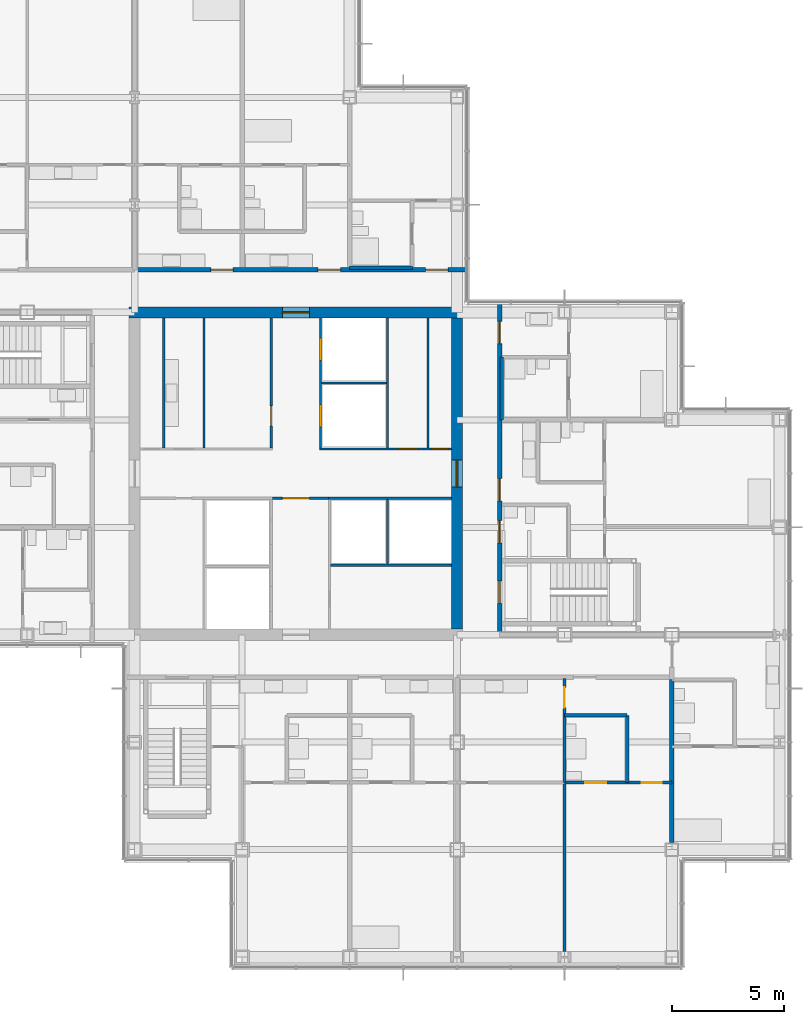
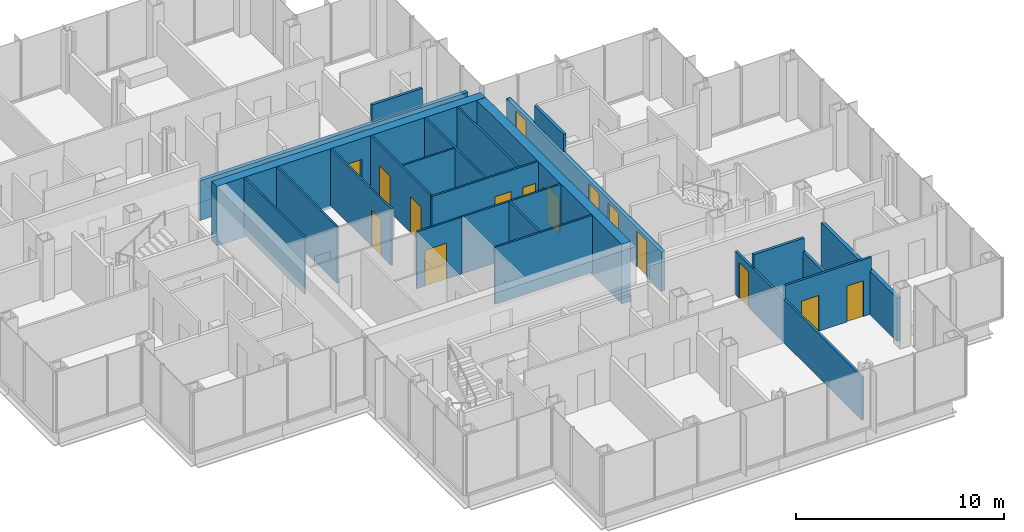
# One storey, part 15 of 20: 24 walls, 18 doors, 18 openings.
"""IFC4 building model written with IfcOpenShell, lengths in metres."""

import ifcopenshell
import ifcopenshell.guid

model = None  # the IFC model being written
_history = None  # IfcOwnerHistory: only IFC2X3 demands one
_inside = {}  # id of a spatial element -> (the spatial element, [elements in it])
_under = {}  # id of a project, library or spatial element -> (it, [spatial elements below it])
_declared = {}  # id of a project -> (the project, [libraries it declares])
_typed = {}  # id of a type object -> (the type object, [elements of that type])
_made_of = {}  # id of a material, layer set ... -> (it, [elements and type objects made of it])


def new_model(schema):
    """Start an empty IFC model of exactly this schema.

    Asked for "IFC4X3", IfcOpenShell would pick the latest addendum, in which some entities
    have other attributes; the version numbers below select the first issue.
    IFC2X3 requires an IfcOwnerHistory on every rooted entity: one is made here for all.
    """
    global model, _history
    if schema == "IFC4X3":
        model = ifcopenshell.file(schema_version=(4, 3, 0, 0))
    else:
        model = ifcopenshell.file(schema=schema)
    _inside.clear()
    _under.clear()
    _declared.clear()
    _typed.clear()
    _made_of.clear()
    _history = None
    if model.schema == "IFC2X3":
        org = make("IfcOrganization", Name="unknown")
        user = make(
            "IfcPersonAndOrganization",
            ThePerson=make("IfcPerson", FamilyName="unknown"),
            TheOrganization=org,
        )
        app = make(
            "IfcApplication",
            ApplicationDeveloper=org,
            Version="unknown",
            ApplicationFullName="unknown",
            ApplicationIdentifier="unknown",
        )
        _history = make(
            "IfcOwnerHistory",
            OwningUser=user,
            OwningApplication=app,
            ChangeAction="ADDED",
            CreationDate=0,
        )
    return model


def make(cls, **values):
    """One entity of the class cls with the attributes given. An attribute that is None is left unset."""
    return model.create_entity(
        cls, **{name: value for name, value in values.items() if value is not None}
    )


def rooted(cls, **values):
    """An entity with a GlobalId (a new one), such as an element, a storey or a relation."""
    return make(cls, GlobalId=ifcopenshell.guid.new(), OwnerHistory=_history, **values)


def si_unit(unit_type, name, prefix=None):
    """IfcSIUnit, for example si_unit("LENGTHUNIT", "METRE", prefix="MILLI")."""
    return make("IfcSIUnit", UnitType=unit_type, Prefix=prefix, Name=name)


def assignment(units):
    """IfcUnitAssignment: the units of a project."""
    return None if units is None else make("IfcUnitAssignment", Units=units)


def point(xyz):
    """IfcCartesianPoint."""
    return None if xyz is None else make("IfcCartesianPoint", Coordinates=xyz)


def direction(xyz):
    """IfcDirection."""
    return None if xyz is None else make("IfcDirection", DirectionRatios=xyz)


def frame(location, z_axis=None, x_axis=None):
    """IfcAxis2Placement3D, a coordinate frame: its origin and axes. An axis left out is left unset."""
    return make(
        "IfcAxis2Placement3D",
        Location=point(location),
        Axis=direction(z_axis),
        RefDirection=direction(x_axis),
    )


def frame_2d(location, x_axis=None):
    """IfcAxis2Placement2D, a coordinate frame in the plane: its origin and x axis."""
    return make(
        "IfcAxis2Placement2D", Location=point(location), RefDirection=direction(x_axis)
    )


def origin():
    """The frame at (0, 0, 0) with its axes left unset."""
    return frame((0.0, 0.0, 0.0))


def place(relative_to, where):
    """IfcLocalPlacement: puts the frame where relative to a parent placement (None: the world)."""
    return make(
        "IfcLocalPlacement", PlacementRelTo=relative_to, RelativePlacement=where
    )


def context(
    kind, dimensions, precision=None, world=None, true_north=None, identifier=None
):
    """IfcGeometricRepresentationContext, for example the 3D "Model" context."""
    return make(
        "IfcGeometricRepresentationContext",
        ContextIdentifier=identifier,
        ContextType=kind,
        CoordinateSpaceDimension=dimensions,
        Precision=precision,
        WorldCoordinateSystem=world,
        TrueNorth=true_north,
    )


def subcontext(parent, identifier, kind, view, scale=None):
    """IfcGeometricRepresentationSubContext, for example "Body" below "Model"."""
    return make(
        "IfcGeometricRepresentationSubContext",
        ContextIdentifier=identifier,
        ContextType=kind,
        ParentContext=parent,
        TargetScale=scale,
        TargetView=view,
    )


def project(units=None, contexts=None):
    """IfcProject with its units and contexts."""
    return rooted(
        "IfcProject",
        Name="project",
        RepresentationContexts=contexts,
        UnitsInContext=assignment(units),
    )


def spatial(cls, under=None, at=None, **own):
    """A site, building, storey or space (cls), placed at a placement, below another one or the project."""
    s = rooted(cls, ObjectPlacement=at, **own)
    if under is not None:
        _under.setdefault(under.id(), (under, []))[1].append(s)
    return s


def profile(cls, at=None, kind="AREA", **sizes):
    """A parametric profile (cls). Its sizes go by their IFC names, for example OverallWidth=200.0."""
    return make(cls, ProfileType=kind, Position=at, **sizes)


def rectangle(**sizes):
    """IfcRectangleProfileDef."""
    return profile("IfcRectangleProfileDef", **sizes)


def extrude(swept, where, along, depth):
    """IfcExtrudedAreaSolid: the profile swept, set in the frame where, extruded along a direction by depth."""
    return make(
        "IfcExtrudedAreaSolid",
        SweptArea=swept,
        Position=where,
        ExtrudedDirection=direction(along),
        Depth=depth,
    )


def shape(context_of_items, identifier, shape_type, items):
    """IfcShapeRepresentation: the items that make up one representation, for example the "Body"."""
    return make(
        "IfcShapeRepresentation",
        ContextOfItems=context_of_items,
        RepresentationIdentifier=identifier,
        RepresentationType=shape_type,
        Items=items,
    )


def material(Name=None, Category=None):
    """IfcMaterial."""
    return make("IfcMaterial", Name=Name, Category=Category)


def layer(
    of_material, thickness, ventilated=None, Name=None, Category=None, Priority=None
):
    """IfcMaterialLayer: one layer of a wall or slab, of a material (None: an air gap)."""
    return make(
        "IfcMaterialLayer",
        Material=of_material,
        LayerThickness=thickness,
        IsVentilated=ventilated,
        Name=Name,
        Category=Category,
        Priority=Priority,
    )


def layer_set(layers, Name=None):
    """IfcMaterialLayerSet."""
    return make("IfcMaterialLayerSet", MaterialLayers=layers, LayerSetName=Name)


def made_of(thing, what):
    """Note that an element or type object is made of a material, layer set ...; save() writes the relation."""
    if what is not None:
        _made_of.setdefault(what.id(), (what, []))[1].append(thing)
    return thing


def type_object(cls, material=None, **own):
    """A type object (cls), such as IfcWallType, which elements share."""
    return made_of(rooted(cls, **own), material)


def element(
    cls,
    number,
    at=None,
    inside=None,
    cuts=None,
    type_object=None,
    material=None,
    context=None,
    identifier="Body",
    shape_type=None,
    held_by="IfcProductDefinitionShape",
    body=None,
    shapes=None,
    **own,
):
    """One element of the class cls, such as IfcWall. Its Tag is "e" and its number.

    at: its placement. inside: the storey or other place that contains it. cuts: it is an
    opening in that element (IfcRelVoidsElement). A single representation is given by context,
    identifier, shape_type and body (its items); several are given by shapes. held_by: the class
    of the entity that holds the representations. save() writes the other relations.
    """
    e = rooted(cls, Tag="e%d" % number, ObjectPlacement=at, **own)
    if body is not None:
        shapes = [shape(context, identifier, shape_type, body)]
    if shapes is not None:
        e.Representation = make(held_by, Representations=shapes)
    if inside is not None:
        _inside.setdefault(inside.id(), (inside, []))[1].append(e)
    if cuts is not None:
        rooted(
            "IfcRelVoidsElement", RelatingBuildingElement=cuts, RelatedOpeningElement=e
        )
    if type_object is not None:
        _typed.setdefault(type_object.id(), (type_object, []))[1].append(e)
    return made_of(e, material)


def fill(opening, filler):
    """IfcRelFillsElement: the door or window that sits in an opening."""
    return rooted(
        "IfcRelFillsElement",
        RelatingOpeningElement=opening,
        RelatedBuildingElement=filler,
    )


def aggregate(whole, parts):
    """IfcRelAggregates: a whole, such as a stair, and the parts it consists of."""
    return rooted("IfcRelAggregates", RelatingObject=whole, RelatedObjects=parts)


def save(model, path):
    """Write the relations noted so far, then the file.

    IfcRelAggregates (storeys below a building ...), IfcRelContainedInSpatialStructure (elements
    in a storey), IfcRelDefinesByType, IfcRelAssociatesMaterial and IfcRelDeclares: one each for
    every whole, place, type object, material and project.
    """
    for whole, parts in _under.values():
        aggregate(whole, parts)
    for where, things in _inside.values():
        rooted(
            "IfcRelContainedInSpatialStructure",
            RelatedElements=things,
            RelatingStructure=where,
        )
    for kind, things in _typed.values():
        rooted("IfcRelDefinesByType", RelatedObjects=things, RelatingType=kind)
    for what, things in _made_of.values():
        rooted("IfcRelAssociatesMaterial", RelatedObjects=things, RelatingMaterial=what)
    for by, libraries in _declared.values():
        rooted("IfcRelDeclares", RelatingContext=by, RelatedDefinitions=libraries)
    model.write(path)


model = new_model("IFC4")

# Units and contexts
model_context = context("Model", 3, precision=1e-05, world=origin(), true_north=direction((0.0, 1.0)))
body_context = subcontext(model_context, "Body", "Model", "MODEL_VIEW")
ifc_project = project(units=[si_unit("LENGTHUNIT", "METRE"), si_unit("AREAUNIT", "SQUARE_METRE"), si_unit("VOLUMEUNIT", "CUBIC_METRE"), si_unit("PLANEANGLEUNIT", "RADIAN"), si_unit("MASSUNIT", "GRAM", prefix="KILO")], contexts=[model_context])

# Site, building, storey
site_placement = place(None, origin())
site = spatial("IfcSite", under=ifc_project, at=site_placement, CompositionType="ELEMENT")
building_placement = place(site_placement, origin())
building = spatial("IfcBuilding", under=site, at=building_placement, Name="Kvirike Care Tower", CompositionType="ELEMENT")
storey_placement = place(building_placement, frame((0.0, 0.0, 94.5)))
storey = spatial("IfcBuildingStorey", under=building, at=storey_placement, Name="L25", CompositionType="ELEMENT", Elevation=94.5)

# Walls
ifc_material_1 = material(Name="Moisture-resistant board partition", Category="gypsum")
ifc_layer_1 = layer(ifc_material_1, 0.14990234375)
ifc_layer_set_1 = layer_set([ifc_layer_1], Name="BATHROOM WALL 150")
wall_type_1 = type_object("IfcWallType", Name="BATHROOM WALL 150", PredefinedType="PARTITIONING", material=ifc_layer_set_1)
wall_1_placement = place(storey_placement, frame((26.800048828125, 45.199951171875, 0.0), z_axis=(0.0, 0.0, 1.0), x_axis=(-1.0, 0.0, 0.0)))
element("IfcWall", 1, at=wall_1_placement, inside=storey, type_object=wall_type_1, Name="Bathroom Wall 150 L25", PredefinedType="PARTITIONING", context=body_context, shape_type="SweptSolid", body=[
    extrude(rectangle(XDim=2.800048828125, YDim=0.14990234375, at=frame_2d((1.39990234375, 0.0))), origin(), (0.0, 0.0, 1.0), 3.330078125),
])
wall_2_placement = place(storey_placement, frame((36.39990234375, 22.199951171875, 0.0), z_axis=(0.0, 0.0, 1.0), x_axis=(0.0, 1.0, 0.0)))
element("IfcWall", 2, at=wall_2_placement, inside=storey, type_object=wall_type_1, Name="Bathroom Wall 150 L25", PredefinedType="PARTITIONING", context=body_context, shape_type="SweptSolid", body=[
    extrude(rectangle(XDim=3.0, YDim=0.14990234375, at=frame_2d((1.5, 0.0))), origin(), (0.0, 0.0, 1.0), 2.550048828125),
])
wall_3_placement = place(storey_placement, frame((33.60009765625, 25.199951171875, 0.0), z_axis=(0.0, 0.0, 1.0), x_axis=(1.0, 0.0, 0.0)))
element("IfcWall", 3, at=wall_3_placement, inside=storey, type_object=wall_type_1, Name="Bathroom Wall 150 L25", PredefinedType="PARTITIONING", context=body_context, shape_type="SweptSolid", body=[
    extrude(rectangle(XDim=2.7998046875, YDim=0.14990234375, at=frame_2d((1.39990234375, 0.0))), origin(), (0.0, 0.0, 1.0), 3.330078125),
])
wall_4_placement = place(storey_placement, frame((30.800048828125, 38.39990234375, 0.0), z_axis=(0.0, 0.0, 1.0), x_axis=(0.0, 1.0, 0.0)))
element("IfcWall", 4, at=wall_4_placement, inside=storey, type_object=wall_type_1, Name="Bathroom Wall 150 L25", PredefinedType="PARTITIONING", context=body_context, shape_type="SweptSolid", body=[
    extrude(rectangle(XDim=2.800048828125, YDim=0.14990234375, at=frame_2d((1.39990234375, 0.0))), origin(), (0.0, 0.0, 1.0), 3.330078125),
])

# Wall, opening, door
ifc_material_2 = material(Name="Concrete C50/60", Category="concrete")
ifc_layer_2 = layer(ifc_material_2, 0.5)
ifc_layer_set_2 = layer_set([ifc_layer_2], Name="CORE WALL 500 C50-60")
wall_type_2 = type_object("IfcWallType", Name="CORE WALL 500 C50-60", PredefinedType="SHEAR", material=ifc_layer_set_2)
wall_5_placement = place(storey_placement, frame((29.050048828125, 43.199951171875, -0.169921875), z_axis=(0.0, 0.0, 1.0), x_axis=(-1.0, 0.0, 0.0)))
wall_5 = element("IfcWall", 5, at=wall_5_placement, inside=storey, type_object=wall_type_2, Name="Core wall N L25", PredefinedType="SHEAR", context=body_context, shape_type="SweptSolid", body=[
    extrude(rectangle(XDim=14.900146484375, YDim=0.5, at=frame_2d((7.4501953125, 0.0))), origin(), (0.0, 0.0, 1.0), 3.5),
])
opening_1_placement = place(wall_5_placement, frame((6.85009765625, 0.0, 0.169921875)))
opening_1 = element("IfcOpeningElement", 6, at=opening_1_placement, cuts=wall_5, Name="Opening 25-067", PredefinedType="OPENING", context=body_context, shape_type="SweptSolid", body=[
    extrude(rectangle(XDim=1.199951171875, YDim=2.10009765625, at=frame_2d((0.60009765625, 1.050048828125))), frame((0.0, 0.260498046875, 0.0), z_axis=(0.0, -1.0, 0.0), x_axis=(1.0, 0.0, 0.0)), (0.0, 0.0, 1.0), 0.52099609375),
])
ifc_material_3 = material(Name="Timber door set", Category="wood")
door_type_1 = type_object("IfcDoorType", Name="CORE DOOR 1200", OperationType="SINGLE_SWING_LEFT", PredefinedType="DOOR", material=ifc_material_3)
door_1_placement = place(opening_1_placement, origin())
door_1 = element("IfcDoor", 7, at=door_1_placement, inside=storey, type_object=door_type_1, Name="Core door N L25", OperationType="SINGLE_SWING_LEFT", OverallHeight=2.10009765625, OverallWidth=1.199951171875, PredefinedType="DOOR", context=body_context, shape_type="SweptSolid", body=[
    extrude(rectangle(XDim=1.199951171875, YDim=2.10009765625, at=frame_2d((0.60009765625, 1.050048828125))), frame((0.0, 0.02685546875, 0.0), z_axis=(0.0, -1.0, 0.0), x_axis=(1.0, 0.0, 0.0)), (0.0, 0.0, 1.0), 0.053955078125),
])
fill(opening_1, door_1)

wall_6_placement = place(storey_placement, frame((28.800048828125, 29.050048828125, -0.169921875), z_axis=(0.0, 0.0, 1.0), x_axis=(0.0, 1.0, 0.0)))
wall_6 = element("IfcWall", 8, at=wall_6_placement, inside=storey, type_object=wall_type_2, Name="Core wall E L25", PredefinedType="SHEAR", context=body_context, shape_type="SweptSolid", body=[
    extrude(rectangle(XDim=13.89990234375, YDim=0.5, at=frame_2d((6.949951171875, 0.0))), origin(), (0.0, 0.0, 1.0), 3.5),
])
opening_2_placement = place(wall_6_placement, frame((6.35009765625, 0.0, 0.169921875)))
opening_2 = element("IfcOpeningElement", 9, at=opening_2_placement, cuts=wall_6, Name="Opening 25-066", PredefinedType="OPENING", context=body_context, shape_type="SweptSolid", body=[
    extrude(rectangle(XDim=1.199951171875, YDim=2.10009765625, at=frame_2d((0.60009765625, 1.050048828125))), frame((0.0, 0.260498046875, 0.0), z_axis=(0.0, -1.0, 0.0), x_axis=(1.0, 0.0, 0.0)), (0.0, 0.0, 1.0), 0.52099609375),
])
door_2_placement = place(opening_2_placement, origin())
door_2 = element("IfcDoor", 10, at=door_2_placement, inside=storey, type_object=door_type_1, Name="Core door E L25", OperationType="SINGLE_SWING_LEFT", OverallHeight=2.10009765625, OverallWidth=1.199951171875, PredefinedType="DOOR", context=body_context, shape_type="SweptSolid", body=[
    extrude(rectangle(XDim=1.199951171875, YDim=2.10009765625, at=frame_2d((0.60009765625, 1.050048828125))), frame((0.0, 0.02685546875, 0.0), z_axis=(0.0, -1.0, 0.0), x_axis=(1.0, 0.0, 0.0)), (0.0, 0.0, 1.0), 0.053955078125),
])
fill(opening_2, door_2)

# Wall, openings, doors
ifc_material_4 = material(Name="Plasterboard corridor wall", Category="gypsum")
ifc_layer_3 = layer(ifc_material_4, 0.199951171875)
ifc_layer_set_3 = layer_set([ifc_layer_3], Name="CORRIDOR WALL 200")
wall_type_3 = type_object("IfcWallType", Name="CORRIDOR WALL 200", PredefinedType="PARTITIONING", material=ifc_layer_set_3)
wall_7_placement = place(storey_placement, frame((29.239990234375, 45.10009765625, 0.0), z_axis=(0.0, 0.0, 1.0), x_axis=(-1.0, 0.0, 0.0)))
wall_7 = element("IfcWall", 11, at=wall_7_placement, inside=storey, type_object=wall_type_3, Name="Corridor Wall 200 L25", PredefinedType="PARTITIONING", context=body_context, shape_type="SweptSolid", body=[
    extrude(rectangle(XDim=14.840087890625, YDim=0.199951171875, at=frame_2d((7.419921875, 0.0))), origin(), (0.0, 0.0, 1.0), 2.320068359375),
])
opening_3_placement = place(wall_7_placement, frame((0.840087890625, 0.0, 0.0)))
opening_3 = element("IfcOpeningElement", 12, at=opening_3_placement, cuts=wall_7, Name="Opening 25-032", PredefinedType="OPENING", context=body_context, shape_type="SweptSolid", body=[
    extrude(rectangle(XDim=1.0, YDim=2.10009765625, at=frame_2d((0.5, 1.050048828125))), frame((0.0, 0.110595703125, 0.0), z_axis=(0.0, -1.0, 0.0), x_axis=(1.0, 0.0, 0.0)), (0.0, 0.0, 1.0), 0.220947265625),
])
opening_4_placement = place(wall_7_placement, frame((5.639892578125, 0.0, 0.0)))
opening_4 = element("IfcOpeningElement", 13, at=opening_4_placement, cuts=wall_7, Name="Opening 25-033", PredefinedType="OPENING", context=body_context, shape_type="SweptSolid", body=[
    extrude(rectangle(XDim=1.0, YDim=2.10009765625, at=frame_2d((0.5, 1.050048828125))), frame((0.0, 0.110595703125, 0.0), z_axis=(0.0, -1.0, 0.0), x_axis=(1.0, 0.0, 0.0)), (0.0, 0.0, 1.0), 0.220947265625),
])
opening_5_placement = place(wall_7_placement, frame((10.43994140625, 0.0, 0.0)))
opening_5 = element("IfcOpeningElement", 14, at=opening_5_placement, cuts=wall_7, Name="Opening 25-034", PredefinedType="OPENING", context=body_context, shape_type="SweptSolid", body=[
    extrude(rectangle(XDim=1.0, YDim=2.10009765625, at=frame_2d((0.5, 1.050048828125))), frame((0.0, 0.110595703125, 0.0), z_axis=(0.0, -1.0, 0.0), x_axis=(1.0, 0.0, 0.0)), (0.0, 0.0, 1.0), 0.220947265625),
])
ifc_material_5 = material(Name="Timber door set", Category="wood")
door_type_2 = type_object("IfcDoorType", Name="FLAT ENTRANCE DOOR 1000", OperationType="SINGLE_SWING_LEFT", PredefinedType="DOOR", material=ifc_material_5)
door_3_placement = place(opening_3_placement, frame((1.0, 0.0, 0.0), z_axis=(0.0, 0.0, 1.0), x_axis=(-1.0, 0.0, 0.0)))
door_3 = element("IfcDoor", 15, at=door_3_placement, inside=storey, type_object=door_type_2, Name="Care base entrance", OperationType="SINGLE_SWING_LEFT", OverallHeight=2.10009765625, OverallWidth=1.0, PredefinedType="DOOR", context=body_context, shape_type="SweptSolid", body=[
    extrude(rectangle(XDim=1.0, YDim=2.10009765625, at=frame_2d((0.5, 1.050048828125))), frame((0.0, 0.02685546875, 0.0), z_axis=(0.0, -1.0, 0.0), x_axis=(1.0, 0.0, 0.0)), (0.0, 0.0, 1.0), 0.053955078125),
])
fill(opening_3, door_3)
door_4_placement = place(opening_4_placement, frame((1.0, 0.0, 0.0), z_axis=(0.0, 0.0, 1.0), x_axis=(-1.0, 0.0, 0.0)))
door_4 = element("IfcDoor", 16, at=door_4_placement, inside=storey, type_object=door_type_2, Name="Assisted living suite entrance", OperationType="SINGLE_SWING_LEFT", OverallHeight=2.10009765625, OverallWidth=1.0, PredefinedType="DOOR", context=body_context, shape_type="SweptSolid", body=[
    extrude(rectangle(XDim=1.0, YDim=2.10009765625, at=frame_2d((0.5, 1.050048828125))), frame((0.0, 0.02685546875, 0.0), z_axis=(0.0, -1.0, 0.0), x_axis=(1.0, 0.0, 0.0)), (0.0, 0.0, 1.0), 0.053955078125),
])
fill(opening_4, door_4)
door_5_placement = place(opening_5_placement, frame((1.0, 0.0, 0.0), z_axis=(0.0, 0.0, 1.0), x_axis=(-1.0, 0.0, 0.0)))
door_5 = element("IfcDoor", 17, at=door_5_placement, inside=storey, type_object=door_type_2, Name="Assisted living suite entrance", OperationType="SINGLE_SWING_LEFT", OverallHeight=2.10009765625, OverallWidth=1.0, PredefinedType="DOOR", context=body_context, shape_type="SweptSolid", body=[
    extrude(rectangle(XDim=1.0, YDim=2.10009765625, at=frame_2d((0.5, 1.050048828125))), frame((0.0, 0.02685546875, 0.0), z_axis=(0.0, -1.0, 0.0), x_axis=(1.0, 0.0, 0.0)), (0.0, 0.0, 1.0), 0.053955078125),
])
fill(opening_5, door_5)

wall_8_placement = place(storey_placement, frame((30.699951171875, 28.800048828125, 0.0), z_axis=(0.0, 0.0, 1.0), x_axis=(0.0, 1.0, 0.0)))
wall_8 = element("IfcWall", 18, at=wall_8_placement, inside=storey, type_object=wall_type_3, Name="Corridor Wall 200 L25", PredefinedType="PARTITIONING", context=body_context, shape_type="SweptSolid", body=[
    extrude(rectangle(XDim=14.83984375, YDim=0.199951171875, at=frame_2d((7.419921875, 0.0))), origin(), (0.0, 0.0, 1.0), 2.320068359375),
])
opening_6_placement = place(wall_8_placement, frame((1.39990234375, 0.0, 0.0)))
opening_6 = element("IfcOpeningElement", 19, at=opening_6_placement, cuts=wall_8, Name="Opening 25-048", PredefinedType="OPENING", context=body_context, shape_type="SweptSolid", body=[
    extrude(rectangle(XDim=1.0, YDim=2.10009765625, at=frame_2d((0.5, 1.050048828125))), frame((0.0, 0.110595703125, 0.0), z_axis=(0.0, -1.0, 0.0), x_axis=(1.0, 0.0, 0.0)), (0.0, 0.0, 1.0), 0.220947265625),
])
opening_7_placement = place(wall_8_placement, frame((4.10009765625, 0.0, 0.0)))
opening_7 = element("IfcOpeningElement", 20, at=opening_7_placement, cuts=wall_8, Name="Opening 25-049", PredefinedType="OPENING", context=body_context, shape_type="SweptSolid", body=[
    extrude(rectangle(XDim=1.0, YDim=2.10009765625, at=frame_2d((0.5, 1.050048828125))), frame((0.0, 0.110595703125, 0.0), z_axis=(0.0, -1.0, 0.0), x_axis=(1.0, 0.0, 0.0)), (0.0, 0.0, 1.0), 0.220947265625),
])
opening_8_placement = place(wall_8_placement, frame((5.97509765625, 0.0, 0.0)))
opening_8 = element("IfcOpeningElement", 21, at=opening_8_placement, cuts=wall_8, Name="Opening 25-050", PredefinedType="OPENING", context=body_context, shape_type="SweptSolid", body=[
    extrude(rectangle(XDim=1.0, YDim=2.10009765625, at=frame_2d((0.5, 1.050048828125))), frame((0.0, 0.110595703125, 0.0), z_axis=(0.0, -1.0, 0.0), x_axis=(1.0, 0.0, 0.0)), (0.0, 0.0, 1.0), 0.220947265625),
])
opening_9_placement = place(wall_8_placement, frame((13.0, 0.0, 0.0)))
opening_9 = element("IfcOpeningElement", 22, at=opening_9_placement, cuts=wall_8, Name="Opening 25-051", PredefinedType="OPENING", context=body_context, shape_type="SweptSolid", body=[
    extrude(rectangle(XDim=1.0, YDim=2.10009765625, at=frame_2d((0.5, 1.050048828125))), frame((0.0, 0.110595703125, 0.0), z_axis=(0.0, -1.0, 0.0), x_axis=(1.0, 0.0, 0.0)), (0.0, 0.0, 1.0), 0.220947265625),
])
door_6_placement = place(opening_8_placement, frame((1.0, 0.0, 0.0), z_axis=(0.0, 0.0, 1.0), x_axis=(-1.0, 0.0, 0.0)))
door_6 = element("IfcDoor", 23, at=door_6_placement, inside=storey, type_object=door_type_2, Name="Assisted living suite entrance", OperationType="SINGLE_SWING_LEFT", OverallHeight=2.10009765625, OverallWidth=1.0, PredefinedType="DOOR", context=body_context, shape_type="SweptSolid", body=[
    extrude(rectangle(XDim=1.0, YDim=2.10009765625, at=frame_2d((0.5, 1.050048828125))), frame((0.0, 0.02685546875, 0.0), z_axis=(0.0, -1.0, 0.0), x_axis=(1.0, 0.0, 0.0)), (0.0, 0.0, 1.0), 0.053955078125),
])
fill(opening_8, door_6)
door_7_placement = place(opening_9_placement, frame((1.0, 0.0, 0.0), z_axis=(0.0, 0.0, 1.0), x_axis=(-1.0, 0.0, 0.0)))
door_7 = element("IfcDoor", 24, at=door_7_placement, inside=storey, type_object=door_type_2, Name="Assisted living suite entrance", OperationType="SINGLE_SWING_RIGHT", OverallHeight=2.10009765625, OverallWidth=1.0, PredefinedType="DOOR", context=body_context, shape_type="SweptSolid", body=[
    extrude(rectangle(XDim=1.0, YDim=2.10009765625, at=frame_2d((0.5, 1.050048828125))), frame((0.0, 0.02685546875, 0.0), z_axis=(0.0, -1.0, 0.0), x_axis=(1.0, 0.0, 0.0)), (0.0, 0.0, 1.0), 0.053955078125),
])
fill(opening_9, door_7)
ifc_material_6 = material(Name="Timber door set", Category="wood")
door_type_3 = type_object("IfcDoorType", Name="STAIR DOOR 1000", OperationType="SINGLE_SWING_LEFT", PredefinedType="DOOR", material=ifc_material_6)
door_8_placement = place(opening_6_placement, frame((1.0, 0.0, 0.0), z_axis=(0.0, 0.0, 1.0), x_axis=(-1.0, 0.0, 0.0)))
door_8 = element("IfcDoor", 25, at=door_8_placement, inside=storey, type_object=door_type_3, Name="Stair 2 door", OperationType="SINGLE_SWING_RIGHT", OverallHeight=2.10009765625, OverallWidth=1.0, PredefinedType="DOOR", context=body_context, shape_type="SweptSolid", body=[
    extrude(rectangle(XDim=1.0, YDim=2.10009765625, at=frame_2d((0.5, 1.050048828125))), frame((0.0, 0.031982421875, 0.0), z_axis=(0.0, -1.0, 0.0), x_axis=(1.0, 0.0, 0.0)), (0.0, 0.0, 1.0), 0.06396484375),
])
fill(opening_6, door_8)
ifc_material_7 = material(Name="Timber door set", Category="wood")
door_type_4 = type_object("IfcDoorType", Name="WC DOOR 1000", OperationType="SINGLE_SWING_LEFT", PredefinedType="DOOR", material=ifc_material_7)
door_9_placement = place(opening_7_placement, frame((1.0, 0.0, 0.0), z_axis=(0.0, 0.0, 1.0), x_axis=(-1.0, 0.0, 0.0)))
door_9 = element("IfcDoor", 26, at=door_9_placement, inside=storey, type_object=door_type_4, Name="Accessible WC door", OperationType="SINGLE_SWING_LEFT", OverallHeight=2.10009765625, OverallWidth=1.0, PredefinedType="DOOR", context=body_context, shape_type="SweptSolid", body=[
    extrude(rectangle(XDim=1.0, YDim=2.10009765625, at=frame_2d((0.5, 1.050048828125))), frame((0.0, 0.02685546875, 0.0), z_axis=(0.0, -1.0, 0.0), x_axis=(1.0, 0.0, 0.0)), (0.0, 0.0, 1.0), 0.053955078125),
])
fill(opening_7, door_9)

# Wall, opening, door
ifc_material_8 = material(Name="Plasterboard partition", Category="gypsum")
ifc_layer_4 = layer(ifc_material_8, 0.1201171875)
ifc_layer_set_4 = layer_set([ifc_layer_4], Name="PARTITION 120")
wall_type_4 = type_object("IfcWallType", Name="PARTITION 120", PredefinedType="PARTITIONING", material=ifc_layer_set_4)
wall_9_placement = place(storey_placement, frame((33.60009765625, 22.199951171875, 0.0), z_axis=(0.0, 0.0, 1.0), x_axis=(0.0, 1.0, 0.0)))
wall_9 = element("IfcWall", 27, at=wall_9_placement, inside=storey, type_object=wall_type_4, Name="Partition 120 L25", PredefinedType="PARTITIONING", context=body_context, shape_type="SweptSolid", body=[
    extrude(rectangle(XDim=4.650146484375, YDim=0.1201171875, at=frame_2d((2.3251953125, 0.0))), origin(), (0.0, 0.0, 1.0), 2.550048828125),
])
opening_10_placement = place(wall_9_placement, frame((3.35009765625, 0.0, 0.0)))
opening_10 = element("IfcOpeningElement", 28, at=opening_10_placement, cuts=wall_9, Name="Opening 25-035", PredefinedType="OPENING", context=body_context, shape_type="SweptSolid", body=[
    extrude(rectangle(XDim=0.89990234375, YDim=2.10009765625, at=frame_2d((0.449951171875, 1.050048828125))), frame((0.0, 0.070556640625, 0.0), z_axis=(0.0, -1.0, 0.0), x_axis=(1.0, 0.0, 0.0)), (0.0, 0.0, 1.0), 0.14111328125),
])
ifc_material_9 = material(Name="Timber door set", Category="wood")
door_type_5 = type_object("IfcDoorType", Name="INTERNAL DOOR 900", OperationType="SINGLE_SWING_LEFT", PredefinedType="DOOR", material=ifc_material_9)
door_10_placement = place(opening_10_placement, origin())
door_10 = element("IfcDoor", 29, at=door_10_placement, inside=storey, type_object=door_type_5, Name="Hall door", OperationType="SINGLE_SWING_LEFT", OverallHeight=2.10009765625, OverallWidth=0.89990234375, PredefinedType="DOOR", context=body_context, shape_type="SweptSolid", body=[
    extrude(rectangle(XDim=0.89990234375, YDim=2.10009765625, at=frame_2d((0.449951171875, 1.050048828125))), frame((0.0, 0.02197265625, 0.0), z_axis=(0.0, -1.0, 0.0), x_axis=(1.0, 0.0, 0.0)), (0.0, 0.0, 1.0), 0.0439453125),
])
fill(opening_10, door_10)

# Wall, openings, doors
wall_10_placement = place(storey_placement, frame((33.60009765625, 22.199951171875, 0.0), z_axis=(0.0, 0.0, 1.0), x_axis=(1.0, 0.0, 0.0)))
wall_10 = element("IfcWall", 30, at=wall_10_placement, inside=storey, type_object=wall_type_4, Name="Partition 120 L25", PredefinedType="PARTITIONING", context=body_context, shape_type="SweptSolid", body=[
    extrude(rectangle(XDim=4.7998046875, YDim=0.1201171875, at=frame_2d((2.39990234375, 0.0))), origin(), (0.0, 0.0, 1.0), 3.330078125),
])
opening_11_placement = place(wall_10_placement, frame((3.449951171875, 0.0, 0.0)))
opening_11 = element("IfcOpeningElement", 31, at=opening_11_placement, cuts=wall_10, Name="Opening 25-037", PredefinedType="OPENING", context=body_context, shape_type="SweptSolid", body=[
    extrude(rectangle(XDim=0.89990234375, YDim=2.10009765625, at=frame_2d((0.449951171875, 1.050048828125))), frame((0.0, 0.070556640625, 0.0), z_axis=(0.0, -1.0, 0.0), x_axis=(1.0, 0.0, 0.0)), (0.0, 0.0, 1.0), 0.14111328125),
])
opening_12_placement = place(wall_10_placement, frame((0.925048828125, 0.0, 0.0)))
opening_12 = element("IfcOpeningElement", 32, at=opening_12_placement, cuts=wall_10, Name="Opening 25-038", PredefinedType="OPENING", context=body_context, shape_type="SweptSolid", body=[
    extrude(rectangle(XDim=0.949951171875, YDim=2.10009765625, at=frame_2d((0.47509765625, 1.050048828125))), frame((0.0, 0.070556640625, 0.0), z_axis=(0.0, -1.0, 0.0), x_axis=(1.0, 0.0, 0.0)), (0.0, 0.0, 1.0), 0.14111328125),
])
ifc_material_10 = material(Name="Timber door set", Category="wood")
door_type_6 = type_object("IfcDoorType", Name="EN-SUITE SLIDING DOOR 950", OperationType="SLIDING_TO_LEFT", PredefinedType="DOOR", material=ifc_material_10)
door_11_placement = place(opening_12_placement, origin())
door_11 = element("IfcDoor", 33, at=door_11_placement, inside=storey, type_object=door_type_6, Name="En-suite door", OperationType="SLIDING_TO_RIGHT", OverallHeight=2.10009765625, OverallWidth=0.949951171875, PredefinedType="DOOR", context=body_context, shape_type="SweptSolid", body=[
    extrude(rectangle(XDim=0.949951171875, YDim=2.10009765625, at=frame_2d((0.47509765625, 1.050048828125))), frame((0.0, 0.02197265625, 0.0), z_axis=(0.0, -1.0, 0.0), x_axis=(1.0, 0.0, 0.0)), (0.0, 0.0, 1.0), 0.0439453125),
])
fill(opening_12, door_11)
door_12_placement = place(opening_11_placement, origin())
door_12 = element("IfcDoor", 34, at=door_12_placement, inside=storey, type_object=door_type_5, Name="Accessible assisted living suite door", OperationType="SINGLE_SWING_LEFT", OverallHeight=2.10009765625, OverallWidth=0.89990234375, PredefinedType="DOOR", context=body_context, shape_type="SweptSolid", body=[
    extrude(rectangle(XDim=0.89990234375, YDim=2.10009765625, at=frame_2d((0.449951171875, 1.050048828125))), frame((0.0, 0.02197265625, 0.0), z_axis=(0.0, -1.0, 0.0), x_axis=(1.0, 0.0, 0.0)), (0.0, 0.0, 1.0), 0.0439453125),
])
fill(opening_11, door_12)

# Walls
wall_11_placement = place(storey_placement, frame((33.60009765625, 14.64697265625, 0.0), z_axis=(0.0, 0.0, 1.0), x_axis=(0.0, 1.0, 0.0)))
element("IfcWall", 35, at=wall_11_placement, inside=storey, type_object=wall_type_4, Name="Partition 120 L25", PredefinedType="PARTITIONING", context=body_context, shape_type="SweptSolid", body=[
    extrude(rectangle(XDim=7.552978515625, YDim=0.1201171875, at=frame_2d((3.7763671875, 0.0))), origin(), (0.0, 0.0, 1.0), 2.550048828125),
])
ifc_material_11 = material(Name="Plasterboard party wall", Category="gypsum")
ifc_layer_5 = layer(ifc_material_11, 0.199951171875)
ifc_layer_set_5 = layer_set([ifc_layer_5], Name="PARTY WALL 200")
wall_type_5 = type_object("IfcWallType", Name="PARTY WALL 200", PredefinedType="PARTITIONING", material=ifc_layer_set_5)
wall_12_placement = place(storey_placement, frame((38.39990234375, 19.52001953125, 0.0), z_axis=(0.0, 0.0, 1.0), x_axis=(0.0, 1.0, 0.0)))
element("IfcWall", 36, at=wall_12_placement, inside=storey, type_object=wall_type_5, Name="Party Wall 200 L25", PredefinedType="PARTITIONING", context=body_context, shape_type="SweptSolid", body=[
    extrude(rectangle(XDim=7.280029296875, YDim=0.199951171875, at=frame_2d((3.64013671875, 0.0))), origin(), (0.0, 0.0, 1.0), 2.550048828125),
])
ifc_material_12 = material(Name="Gypsum shaft wall system", Category="gypsum")
ifc_layer_6 = layer(ifc_material_12, 0.10009765625)
ifc_layer_set_6 = layer_set([ifc_layer_6], Name="SHAFT WALL 100")
wall_type_6 = type_object("IfcWallType", Name="SHAFT WALL 100", PredefinedType="SOLIDWALL", material=ifc_layer_set_6)
for number, where, z_axis, x_axis, name in (
    (37, (15.699951171875, 37.14990234375, 0.0), (0.0, 0.0, 1.0), (0.0, 1.0, 0.0), "Shaft Wall 100 L25"),
    (38, (27.5, 37.14990234375, 0.0), (0.0, 0.0, 1.0), (0.0, 1.0, 0.0), "Shaft Wall 100 L25"),
):
    element("IfcWall", number, at=place(storey_placement, frame(where, z_axis=z_axis, x_axis=x_axis)), inside=storey, type_object=wall_type_6, Name=name, PredefinedType="SOLIDWALL", context=body_context, shape_type="SweptSolid", body=[
        extrude(rectangle(XDim=5.800048828125, YDim=0.10009765625, at=frame_2d((2.89990234375, 0.0))), origin(), (0.0, 0.0, 1.0), 3.330078125),
    ])

# Wall, opening, door
wall_13_placement = place(storey_placement, frame((20.5, 37.14990234375, 0.0), z_axis=(0.0, 0.0, 1.0), x_axis=(0.0, 1.0, 0.0)))
wall_13 = element("IfcWall", 39, at=wall_13_placement, inside=storey, type_object=wall_type_6, Name="Shaft Wall 100 L25", PredefinedType="SOLIDWALL", context=body_context, shape_type="SweptSolid", body=[
    extrude(rectangle(XDim=5.800048828125, YDim=0.10009765625, at=frame_2d((2.89990234375, 0.0))), origin(), (0.0, 0.0, 1.0), 3.330078125),
])
opening_13_placement = place(wall_13_placement, frame((0.97509765625, 0.0, 0.0)))
opening_13 = element("IfcOpeningElement", 40, at=opening_13_placement, cuts=wall_13, Name="Opening 25-054", PredefinedType="OPENING", context=body_context, shape_type="SweptSolid", body=[
    extrude(rectangle(XDim=0.89990234375, YDim=2.10009765625, at=frame_2d((0.449951171875, 1.050048828125))), frame((0.0, 0.060546875, 0.0), z_axis=(0.0, -1.0, 0.0), x_axis=(1.0, 0.0, 0.0)), (0.0, 0.0, 1.0), 0.12109375),
])
ifc_material_13 = material(Name="Timber door set", Category="wood")
door_type_7 = type_object("IfcDoorType", Name="STORE DOOR 900", OperationType="SINGLE_SWING_LEFT", PredefinedType="DOOR", material=ifc_material_13)
door_13_placement = place(opening_13_placement, origin())
door_13 = element("IfcDoor", 41, at=door_13_placement, inside=storey, type_object=door_type_7, Name="Records store door", OperationType="SINGLE_SWING_RIGHT", OverallHeight=2.10009765625, OverallWidth=0.89990234375, PredefinedType="DOOR", context=body_context, shape_type="SweptSolid", body=[
    extrude(rectangle(XDim=0.89990234375, YDim=2.10009765625, at=frame_2d((0.449951171875, 1.050048828125))), frame((0.0, 0.02685546875, 0.0), z_axis=(0.0, -1.0, 0.0), x_axis=(1.0, 0.0, 0.0)), (0.0, 0.0, 1.0), 0.053955078125),
])
fill(opening_13, door_13)

# Wall, openings, doors
wall_14_placement = place(storey_placement, frame((22.699951171875, 37.14990234375, 0.0), z_axis=(0.0, 0.0, 1.0), x_axis=(0.0, 1.0, 0.0)))
wall_14 = element("IfcWall", 42, at=wall_14_placement, inside=storey, type_object=wall_type_6, Name="Shaft Wall 100 L25", PredefinedType="SOLIDWALL", context=body_context, shape_type="SweptSolid", body=[
    extrude(rectangle(XDim=5.800048828125, YDim=0.10009765625, at=frame_2d((2.89990234375, 0.0))), origin(), (0.0, 0.0, 1.0), 3.330078125),
])
opening_14_placement = place(wall_14_placement, frame((0.925048828125, 0.0, 0.0)))
opening_14 = element("IfcOpeningElement", 43, at=opening_14_placement, cuts=wall_14, Name="Opening 25-055", PredefinedType="OPENING", context=body_context, shape_type="SweptSolid", body=[
    extrude(rectangle(XDim=1.0, YDim=2.10009765625, at=frame_2d((0.5, 1.050048828125))), frame((0.0, 0.060546875, 0.0), z_axis=(0.0, -1.0, 0.0), x_axis=(1.0, 0.0, 0.0)), (0.0, 0.0, 1.0), 0.12109375),
])
opening_15_placement = place(wall_14_placement, frame((3.89990234375, 0.0, 0.0)))
opening_15 = element("IfcOpeningElement", 44, at=opening_15_placement, cuts=wall_14, Name="Opening 25-056", PredefinedType="OPENING", context=body_context, shape_type="SweptSolid", body=[
    extrude(rectangle(XDim=1.0, YDim=2.10009765625, at=frame_2d((0.5, 1.050048828125))), frame((0.0, 0.060546875, 0.0), z_axis=(0.0, -1.0, 0.0), x_axis=(1.0, 0.0, 0.0)), (0.0, 0.0, 1.0), 0.12109375),
])
ifc_material_14 = material(Name="Aluminium door frame", Category="aluminium")
door_type_8 = type_object("IfcDoorType", Name="LIFT LANDING DOOR 1000", OperationType="SLIDING_TO_LEFT", PredefinedType="DOOR", material=ifc_material_14)
door_14_placement = place(opening_14_placement, origin())
door_14 = element("IfcDoor", 45, at=door_14_placement, inside=storey, type_object=door_type_8, Name="Lift P3 landing door", OperationType="SLIDING_TO_LEFT", OverallHeight=2.10009765625, OverallWidth=1.0, PredefinedType="DOOR", context=body_context, shape_type="SweptSolid", body=[
    extrude(rectangle(XDim=1.0, YDim=2.10009765625, at=frame_2d((0.5, 1.050048828125))), frame((0.0, 0.0498046875, 0.0), z_axis=(0.0, -1.0, 0.0), x_axis=(1.0, 0.0, 0.0)), (0.0, 0.0, 1.0), 0.099609375),
])
fill(opening_14, door_14)
door_15_placement = place(opening_15_placement, origin())
door_15 = element("IfcDoor", 46, at=door_15_placement, inside=storey, type_object=door_type_8, Name="Lift P4 landing door", OperationType="SLIDING_TO_LEFT", OverallHeight=2.10009765625, OverallWidth=1.0, PredefinedType="DOOR", context=body_context, shape_type="SweptSolid", body=[
    extrude(rectangle(XDim=1.0, YDim=2.10009765625, at=frame_2d((0.5, 1.050048828125))), frame((0.0, 0.0498046875, 0.0), z_axis=(0.0, -1.0, 0.0), x_axis=(1.0, 0.0, 0.0)), (0.0, 0.0, 1.0), 0.099609375),
])
fill(opening_15, door_15)

# Wall
wall_15_placement = place(storey_placement, frame((23.050048828125, 34.89990234375, 0.0), z_axis=(0.0, 0.0, 1.0), x_axis=(1.0, 0.0, 0.0)))
element("IfcWall", 47, at=wall_15_placement, inside=storey, type_object=wall_type_6, Name="Shaft Wall 100 L25", PredefinedType="SOLIDWALL", context=body_context, shape_type="SweptSolid", body=[
    extrude(rectangle(XDim=5.5, YDim=0.10009765625, at=frame_2d((2.75, 0.0))), origin(), (0.0, 0.0, 1.0), 3.330078125),
])

# Wall, openings, doors
wall_16_placement = place(storey_placement, frame((22.64990234375, 37.10009765625, 0.0), z_axis=(0.0, 0.0, 1.0), x_axis=(1.0, 0.0, 0.0)))
wall_16 = element("IfcWall", 48, at=wall_16_placement, inside=storey, type_object=wall_type_6, Name="Shaft Wall 100 L25", PredefinedType="SOLIDWALL", context=body_context, shape_type="SweptSolid", body=[
    extrude(rectangle(XDim=5.900146484375, YDim=0.10009765625, at=frame_2d((2.9501953125, 0.0))), origin(), (0.0, 0.0, 1.0), 3.330078125),
])
opening_16_placement = place(wall_16_placement, frame((3.5, 0.0, 0.0)))
opening_16 = element("IfcOpeningElement", 49, at=opening_16_placement, cuts=wall_16, Name="Opening 25-061", PredefinedType="OPENING", context=body_context, shape_type="SweptSolid", body=[
    extrude(rectangle(XDim=0.89990234375, YDim=2.10009765625, at=frame_2d((0.449951171875, 1.050048828125))), frame((0.0, 0.060546875, 0.0), z_axis=(0.0, -1.0, 0.0), x_axis=(1.0, 0.0, 0.0)), (0.0, 0.0, 1.0), 0.12109375),
])
opening_17_placement = place(wall_16_placement, frame((5.050048828125, 0.0, 0.0)))
opening_17 = element("IfcOpeningElement", 50, at=opening_17_placement, cuts=wall_16, Name="Opening 25-062", PredefinedType="OPENING", context=body_context, shape_type="SweptSolid", body=[
    extrude(rectangle(XDim=0.699951171875, YDim=2.10009765625, at=frame_2d((0.35009765625, 1.050048828125))), frame((0.0, 0.060546875, 0.0), z_axis=(0.0, -1.0, 0.0), x_axis=(1.0, 0.0, 0.0)), (0.0, 0.0, 1.0), 0.12109375),
])
ifc_material_15 = material(Name="Timber door set", Category="wood")
door_type_9 = type_object("IfcDoorType", Name="RISER DOOR 700", OperationType="SINGLE_SWING_LEFT", PredefinedType="DOOR", material=ifc_material_15)
door_16_placement = place(opening_17_placement, origin())
door_16 = element("IfcDoor", 51, at=door_16_placement, inside=storey, type_object=door_type_9, Name="Riser door", OperationType="SINGLE_SWING_RIGHT", OverallHeight=2.10009765625, OverallWidth=0.699951171875, PredefinedType="DOOR", context=body_context, shape_type="SweptSolid", body=[
    extrude(rectangle(XDim=0.699951171875, YDim=2.10009765625, at=frame_2d((0.35009765625, 1.050048828125))), frame((0.0, 0.02685546875, 0.0), z_axis=(0.0, -1.0, 0.0), x_axis=(1.0, 0.0, 0.0)), (0.0, 0.0, 1.0), 0.053955078125),
])
fill(opening_17, door_16)
door_17_placement = place(opening_16_placement, origin())
door_17 = element("IfcDoor", 52, at=door_17_placement, inside=storey, type_object=door_type_7, Name="Cleaners store door", OperationType="SINGLE_SWING_LEFT", OverallHeight=2.10009765625, OverallWidth=0.89990234375, PredefinedType="DOOR", context=body_context, shape_type="SweptSolid", body=[
    extrude(rectangle(XDim=0.89990234375, YDim=2.10009765625, at=frame_2d((0.449951171875, 1.050048828125))), frame((0.0, 0.02685546875, 0.0), z_axis=(0.0, -1.0, 0.0), x_axis=(1.0, 0.0, 0.0)), (0.0, 0.0, 1.0), 0.053955078125),
])
fill(opening_16, door_17)

# Wall, opening, door
wall_17_placement = place(storey_placement, frame((20.550048828125, 34.89990234375, 0.0), z_axis=(0.0, 0.0, 1.0), x_axis=(1.0, 0.0, 0.0)))
wall_17 = element("IfcWall", 53, at=wall_17_placement, inside=storey, type_object=wall_type_6, Name="Shaft Wall 100 L25", PredefinedType="SOLIDWALL", context=body_context, shape_type="SweptSolid", body=[
    extrude(rectangle(XDim=2.5, YDim=0.10009765625, at=frame_2d((1.25, 0.0))), origin(), (0.0, 0.0, 1.0), 3.330078125),
])
opening_18_placement = place(wall_17_placement, frame((0.449951171875, 0.0, 0.0)))
opening_18 = element("IfcOpeningElement", 54, at=opening_18_placement, cuts=wall_17, Name="Opening 25-063", PredefinedType="OPENING", context=body_context, shape_type="SweptSolid", body=[
    extrude(rectangle(XDim=1.199951171875, YDim=2.10009765625, at=frame_2d((0.60009765625, 1.050048828125))), frame((0.0, 0.060546875, 0.0), z_axis=(0.0, -1.0, 0.0), x_axis=(1.0, 0.0, 0.0)), (0.0, 0.0, 1.0), 0.12109375),
])
door_18_placement = place(opening_18_placement, frame((1.199951171875, 0.0, 0.0), z_axis=(0.0, 0.0, 1.0), x_axis=(-1.0, 0.0, 0.0)))
door_18 = element("IfcDoor", 55, at=door_18_placement, inside=storey, type_object=door_type_1, Name="Fire-fighting lobby door", OperationType="SINGLE_SWING_LEFT", OverallHeight=2.10009765625, OverallWidth=1.199951171875, PredefinedType="DOOR", context=body_context, shape_type="SweptSolid", body=[
    extrude(rectangle(XDim=1.199951171875, YDim=2.10009765625, at=frame_2d((0.60009765625, 1.050048828125))), frame((0.0, 0.02685546875, 0.0), z_axis=(0.0, -1.0, 0.0), x_axis=(1.0, 0.0, 0.0)), (0.0, 0.0, 1.0), 0.053955078125),
])
fill(opening_18, door_18)

# Walls
wall_18_placement = place(storey_placement, frame((17.5, 37.14990234375, 0.0), z_axis=(0.0, 0.0, 1.0), x_axis=(0.0, 1.0, 0.0)))
element("IfcWall", 56, at=wall_18_placement, inside=storey, type_object=wall_type_6, Name="Shaft Wall 100 L25", PredefinedType="SOLIDWALL", context=body_context, shape_type="SweptSolid", body=[
    extrude(rectangle(XDim=5.800048828125, YDim=0.10009765625, at=frame_2d((2.89990234375, 0.0))), origin(), (0.0, 0.0, 1.0), 3.330078125),
])
wall_19_placement = place(storey_placement, frame((22.75, 40.050048828125, 0.0), z_axis=(0.0, 0.0, 1.0), x_axis=(1.0, 0.0, 0.0)))
element("IfcWall", 57, at=wall_19_placement, inside=storey, type_object=wall_type_6, Name="Shaft Wall 100 L25", PredefinedType="SOLIDWALL", context=body_context, shape_type="SweptSolid", body=[
    extrude(rectangle(XDim=2.89990234375, YDim=0.10009765625, at=frame_2d((1.449951171875, 0.0))), origin(), (0.0, 0.0, 1.0), 3.330078125),
])
wall_20_placement = place(storey_placement, frame((25.699951171875, 37.14990234375, 0.0), z_axis=(0.0, 0.0, 1.0), x_axis=(0.0, 1.0, 0.0)))
element("IfcWall", 58, at=wall_20_placement, inside=storey, type_object=wall_type_6, Name="Shaft Wall 100 L25", PredefinedType="SOLIDWALL", context=body_context, shape_type="SweptSolid", body=[
    extrude(rectangle(XDim=5.800048828125, YDim=0.10009765625, at=frame_2d((2.89990234375, 0.0))), origin(), (0.0, 0.0, 1.0), 3.330078125),
])
wall_21_placement = place(storey_placement, frame((25.699951171875, 31.949951171875, 0.0), z_axis=(0.0, 0.0, 1.0), x_axis=(0.0, 1.0, 0.0)))
element("IfcWall", 59, at=wall_21_placement, inside=storey, type_object=wall_type_6, Name="Shaft Wall 100 L25", PredefinedType="SOLIDWALL", context=body_context, shape_type="SweptSolid", body=[
    extrude(rectangle(XDim=2.900146484375, YDim=0.10009765625, at=frame_2d((1.4501953125, 0.0))), origin(), (0.0, 0.0, 1.0), 3.330078125),
])
wall_22_placement = place(storey_placement, frame((23.14990234375, 31.89990234375, 0.0), z_axis=(0.0, 0.0, 1.0), x_axis=(1.0, 0.0, 0.0)))
element("IfcWall", 60, at=wall_22_placement, inside=storey, type_object=wall_type_6, Name="Shaft Wall 100 L25", PredefinedType="SOLIDWALL", context=body_context, shape_type="SweptSolid", body=[
    extrude(rectangle(XDim=5.400146484375, YDim=0.10009765625, at=frame_2d((2.7001953125, 0.0))), origin(), (0.0, 0.0, 1.0), 3.330078125),
])

save(model, "model.ifc")
